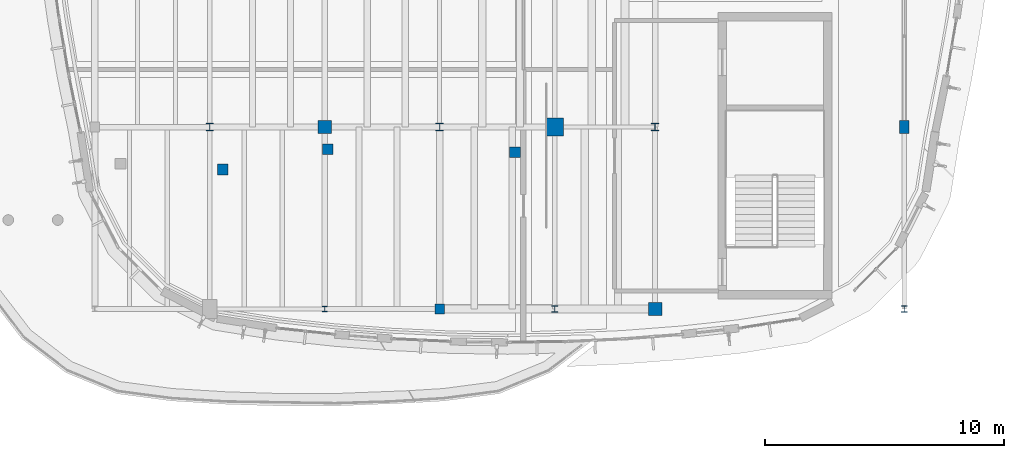
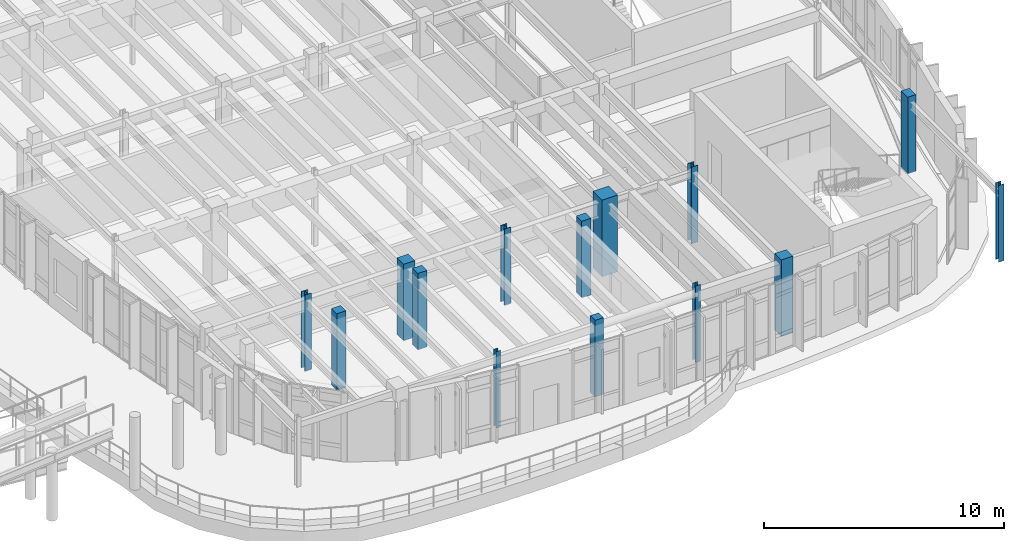
# One storey, part 11 of 111: 14 columns.
"""IFC4 building model written with IfcOpenShell, lengths in metres."""

from ifc_helpers import new_model, si_unit, direction, frame, origin, origin_2d, place, context, subcontext, project, spatial, rectangle, i_section, extrude, material, material_profile, profile_set, type_object, element, save


model = new_model("IFC4")

# Units and contexts
model_context = context("Model", 3, precision=1e-05, world=origin(), true_north=direction((0.0, 1.0)))
body_context = subcontext(model_context, "Body", "Model", "MODEL_VIEW")
ifc_project = project(units=[si_unit("LENGTHUNIT", "METRE"), si_unit("AREAUNIT", "SQUARE_METRE"), si_unit("VOLUMEUNIT", "CUBIC_METRE"), si_unit("PLANEANGLEUNIT", "RADIAN"), si_unit("MASSUNIT", "GRAM", prefix="KILO")], contexts=[model_context])

# Site, building, storey
site_placement = place(None, origin())
site = spatial("IfcSite", under=ifc_project, at=site_placement, CompositionType="ELEMENT")
building_placement = place(site_placement, origin())
building = spatial("IfcBuilding", under=site, at=building_placement, Name="Corveleigh Park Community Centre", CompositionType="ELEMENT")
storey_placement = place(building_placement, frame((0.0, 0.0, 4.800048828125)))
storey = spatial("IfcBuildingStorey", under=building, at=storey_placement, Name="L01", CompositionType="ELEMENT", Elevation=4.800048828125)

# Columns
ifc_material_1 = material(Name="Concrete C40/50", Category="concrete")
ifc_material_profile_1 = material_profile(ifc_material_1, rectangle(XDim=0.39990234375, YDim=0.39990234375, at=origin_2d()), Name="RC-400x400", Category="concrete")
ifc_profile_set_1 = profile_set([ifc_material_profile_1], Name="Concrete C40/50")
column_type_1 = type_object("IfcColumnType", Name="COL-RC-400x400", PredefinedType="COLUMN", material=ifc_profile_set_1)
column_1_placement = place(storey_placement, frame((149.0, 58.60009765625, 0.0), z_axis=(0.0, 0.0, 1.0), x_axis=(1.0, 0.0, 0.0)))
element("IfcColumn", 1, at=column_1_placement, inside=storey, type_object=column_type_1, Name="Column V4-X4Y0 L01", PredefinedType="COLUMN", context=body_context, shape_type="SweptSolid", body=[
    extrude(rectangle(XDim=0.39990234375, YDim=0.39990234375, at=origin_2d()), origin(), (0.0, 0.0, 1.0), 3.89990234375),
])
ifc_material_profile_2 = material_profile(ifc_material_1, rectangle(XDim=0.39990234375, YDim=0.550048828125, at=origin_2d()), Name="RC-400x550", Category="concrete")
ifc_profile_set_2 = profile_set([ifc_material_profile_2], Name="Concrete C40/50")
column_type_2 = type_object("IfcColumnType", Name="COL-RC-400x550", PredefinedType="COLUMN", material=ifc_profile_set_2)
column_2_placement = place(storey_placement, frame((168.39990234375, 66.199951171875, 0.0), z_axis=(0.0, 0.0, 1.0), x_axis=(1.0, 0.0, 0.0)))
element("IfcColumn", 2, at=column_2_placement, inside=storey, type_object=column_type_2, Name="Column V4-X7Y1 L01", PredefinedType="COLUMN", context=body_context, shape_type="SweptSolid", body=[
    extrude(rectangle(XDim=0.39990234375, YDim=0.550048828125, at=origin_2d()), origin(), (0.0, 0.0, 1.0), 3.89990234375),
])
ifc_material_profile_3 = material_profile(ifc_material_1, rectangle(XDim=0.449951171875, YDim=0.449951171875, at=origin_2d()), Name="RC-450x450", Category="concrete")
ifc_profile_set_3 = profile_set([ifc_material_profile_3], Name="Concrete C40/50")
column_type_3 = type_object("IfcColumnType", Name="COL-RC-450x450", PredefinedType="COLUMN", material=ifc_profile_set_3)
for number, where, z_axis, x_axis, name in (
    (3, (139.94091796875, 64.424072265625, 0.0), (0.0, 0.0, 1.0), (1.0, 0.0, 0.0), "External deck support pier 135 L01"),
    (4, (144.3291015625, 65.27294921875, 0.0), (0.0, 0.0, 1.0), (1.0, 0.0, 0.0), "External deck support pier 137 L01"),
    (5, (152.14697265625, 65.14404296875, 0.0), (0.0, 0.0, 1.0), (1.0, 0.0, 0.0), "External deck support pier 139 L01"),
):
    element("IfcColumn", number, at=place(storey_placement, frame(where, z_axis=z_axis, x_axis=x_axis)), inside=storey, type_object=column_type_3, Name=name, PredefinedType="COLUMN", context=body_context, shape_type="SweptSolid", body=[
        extrude(rectangle(XDim=0.449951171875, YDim=0.449951171875, at=origin_2d()), origin(), (0.0, 0.0, 1.0), 3.89990234375),
    ])
ifc_material_profile_4 = material_profile(ifc_material_1, rectangle(XDim=0.550048828125, YDim=0.550048828125, at=origin_2d()), Name="RC-550x550", Category="concrete")
ifc_profile_set_4 = profile_set([ifc_material_profile_4], Name="Concrete C40/50")
column_type_4 = type_object("IfcColumnType", Name="COL-RC-550x550", PredefinedType="COLUMN", material=ifc_profile_set_4)
for number, where, z_axis, x_axis, name in (
    (6, (144.199951171875, 66.199951171875, 0.0), (0.0, 0.0, 1.0), (1.0, 0.0, 0.0), "Column V4-X3Y1 L01"),
    (7, (158.0, 58.60009765625, 0.0), (0.0, 0.0, 1.0), (1.0, 0.0, 0.0), "Column V4-X6Y0 L01"),
):
    element("IfcColumn", number, at=place(storey_placement, frame(where, z_axis=z_axis, x_axis=x_axis)), inside=storey, type_object=column_type_4, Name=name, PredefinedType="COLUMN", context=body_context, shape_type="SweptSolid", body=[
        extrude(rectangle(XDim=0.550048828125, YDim=0.550048828125, at=origin_2d()), origin(), (0.0, 0.0, 1.0), 3.89990234375),
    ])
ifc_material_profile_5 = material_profile(ifc_material_1, rectangle(XDim=0.75, YDim=0.75, at=origin_2d()), Name="RC-750x750", Category="concrete")
ifc_profile_set_5 = profile_set([ifc_material_profile_5], Name="Concrete C40/50")
column_type_5 = type_object("IfcColumnType", Name="COL-RC-750x750", PredefinedType="COLUMN", material=ifc_profile_set_5)
column_3_placement = place(storey_placement, frame((153.800048828125, 66.199951171875, 0.0), z_axis=(0.0, 0.0, 1.0), x_axis=(1.0, 0.0, 0.0)))
element("IfcColumn", 8, at=column_3_placement, inside=storey, type_object=column_type_5, Name="Column V4-X5Y1 L01", PredefinedType="COLUMN", context=body_context, shape_type="SweptSolid", body=[
    extrude(rectangle(XDim=0.75, YDim=0.75, at=origin_2d()), origin(), (0.0, 0.0, 1.0), 3.89990234375),
])
ifc_material_2 = material(Name="Steel S355", Category="steel")
ifc_material_profile_6 = material_profile(ifc_material_2, i_section(OverallWidth=0.206298828125, OverallDepth=0.2158203125, WebThickness=0.010009765625, FlangeThickness=0.017333984375, at=origin_2d()), Name="UKC 203x203x71", Category="steel")
ifc_profile_set_6 = profile_set([ifc_material_profile_6], Name="Steel S355")
column_type_6 = type_object("IfcColumnType", Name="COL-STL-UKC203x71", PredefinedType="COLUMN", material=ifc_profile_set_6)
column_4_placement = place(storey_placement, frame((144.199951171875, 58.60009765625, 0.0), z_axis=(0.0, 0.0, 1.0), x_axis=(1.0, 0.0, 0.0)))
element("IfcColumn", 9, at=column_4_placement, inside=storey, type_object=column_type_6, Name="Column V4-X3Y0 L01", PredefinedType="COLUMN", context=body_context, shape_type="SweptSolid", body=[
    extrude(i_section(OverallWidth=0.206298828125, OverallDepth=0.2158203125, WebThickness=0.010009765625, FlangeThickness=0.017333984375, at=origin_2d()), origin(), (0.0, 0.0, 1.0), 3.89990234375),
])
ifc_material_profile_7 = material_profile(ifc_material_2, i_section(OverallWidth=0.254638671875, OverallDepth=0.254150390625, WebThickness=0.008544921875, FlangeThickness=0.01416015625, at=origin_2d()), Name="UKC 254x254x73", Category="steel")
ifc_profile_set_7 = profile_set([ifc_material_profile_7], Name="Steel S355")
column_type_7 = type_object("IfcColumnType", Name="COL-STL-UKC254x73", PredefinedType="COLUMN", material=ifc_profile_set_7)
column_5_placement = place(storey_placement, frame((153.800048828125, 58.60009765625, 0.0), z_axis=(0.0, 0.0, 1.0), x_axis=(1.0, 0.0, 0.0)))
element("IfcColumn", 10, at=column_5_placement, inside=storey, type_object=column_type_7, Name="Column V4-X5Y0 L01", PredefinedType="COLUMN", context=body_context, shape_type="SweptSolid", body=[
    extrude(i_section(OverallWidth=0.254638671875, OverallDepth=0.254150390625, WebThickness=0.008544921875, FlangeThickness=0.01416015625, at=origin_2d()), origin(), (0.0, 0.0, 1.0), 3.89990234375),
])
ifc_material_profile_8 = material_profile(ifc_material_2, i_section(OverallWidth=0.25634765625, OverallDepth=0.26025390625, WebThickness=0.01025390625, FlangeThickness=0.017333984375, at=origin_2d()), Name="UKC 254x254x89", Category="steel")
ifc_profile_set_8 = profile_set([ifc_material_profile_8], Name="Steel S355")
column_type_8 = type_object("IfcColumnType", Name="COL-STL-UKC254x89", PredefinedType="COLUMN", material=ifc_profile_set_8)
column_6_placement = place(storey_placement, frame((168.39990234375, 58.60009765625, 0.0), z_axis=(0.0, 0.0, 1.0), x_axis=(1.0, 0.0, 0.0)))
element("IfcColumn", 11, at=column_6_placement, inside=storey, type_object=column_type_8, Name="Column V4-X7Y0 L01", PredefinedType="COLUMN", context=body_context, shape_type="SweptSolid", body=[
    extrude(i_section(OverallWidth=0.25634765625, OverallDepth=0.26025390625, WebThickness=0.01025390625, FlangeThickness=0.017333984375, at=origin_2d()), origin(), (0.0, 0.0, 1.0), 3.89990234375),
])
ifc_material_profile_9 = material_profile(ifc_material_2, i_section(OverallWidth=0.307373046875, OverallDepth=0.314453125, WebThickness=0.011962890625, FlangeThickness=0.018798828125, at=origin_2d()), Name="UKC 305x305x118", Category="steel")
ifc_profile_set_9 = profile_set([ifc_material_profile_9], Name="Steel S355")
column_type_9 = type_object("IfcColumnType", Name="COL-STL-UKC305x118", PredefinedType="COLUMN", material=ifc_profile_set_9)
column_7_placement = place(storey_placement, frame((139.39990234375, 66.199951171875, 0.0), z_axis=(0.0, 0.0, 1.0), x_axis=(1.0, 0.0, 0.0)))
element("IfcColumn", 12, at=column_7_placement, inside=storey, type_object=column_type_9, Name="Column V4-X2Y1 L01", PredefinedType="COLUMN", context=body_context, shape_type="SweptSolid", body=[
    extrude(i_section(OverallWidth=0.307373046875, OverallDepth=0.314453125, WebThickness=0.011962890625, FlangeThickness=0.018798828125, at=origin_2d()), origin(), (0.0, 0.0, 1.0), 3.89990234375),
])
ifc_material_profile_10 = material_profile(ifc_material_2, i_section(OverallWidth=0.30908203125, OverallDepth=0.320556640625, WebThickness=0.013916015625, FlangeThickness=0.021728515625, at=origin_2d()), Name="UKC 305x305x137", Category="steel")
ifc_profile_set_10 = profile_set([ifc_material_profile_10], Name="Steel S355")
column_type_10 = type_object("IfcColumnType", Name="COL-STL-UKC305x137", PredefinedType="COLUMN", material=ifc_profile_set_10)
column_8_placement = place(storey_placement, frame((149.0, 66.199951171875, 0.0), z_axis=(0.0, 0.0, 1.0), x_axis=(1.0, 0.0, 0.0)))
element("IfcColumn", 13, at=column_8_placement, inside=storey, type_object=column_type_10, Name="Column V4-X4Y1 L01", PredefinedType="COLUMN", context=body_context, shape_type="SweptSolid", body=[
    extrude(i_section(OverallWidth=0.30908203125, OverallDepth=0.320556640625, WebThickness=0.013916015625, FlangeThickness=0.021728515625, at=origin_2d()), origin(), (0.0, 0.0, 1.0), 3.89990234375),
])
ifc_material_profile_11 = material_profile(ifc_material_2, i_section(OverallWidth=0.311279296875, OverallDepth=0.3271484375, WebThickness=0.015869140625, FlangeThickness=0.02490234375, at=origin_2d()), Name="UKC 305x305x158", Category="steel")
ifc_profile_set_11 = profile_set([ifc_material_profile_11], Name="Steel S355")
column_type_11 = type_object("IfcColumnType", Name="COL-STL-UKC305x158", PredefinedType="COLUMN", material=ifc_profile_set_11)
column_9_placement = place(storey_placement, frame((158.0, 66.199951171875, 0.0), z_axis=(0.0, 0.0, 1.0), x_axis=(1.0, 0.0, 0.0)))
element("IfcColumn", 14, at=column_9_placement, inside=storey, type_object=column_type_11, Name="Column V4-X6Y1 L01", PredefinedType="COLUMN", context=body_context, shape_type="SweptSolid", body=[
    extrude(i_section(OverallWidth=0.311279296875, OverallDepth=0.3271484375, WebThickness=0.015869140625, FlangeThickness=0.02490234375, at=origin_2d()), origin(), (0.0, 0.0, 1.0), 3.89990234375),
])

save(model, "model.ifc")
